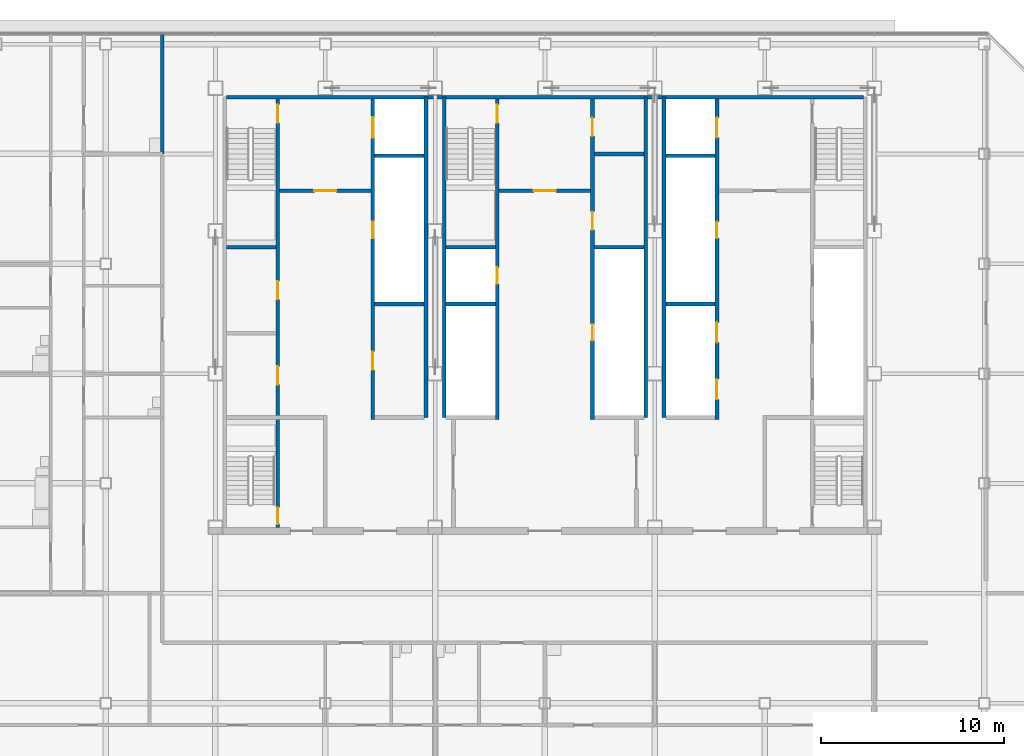
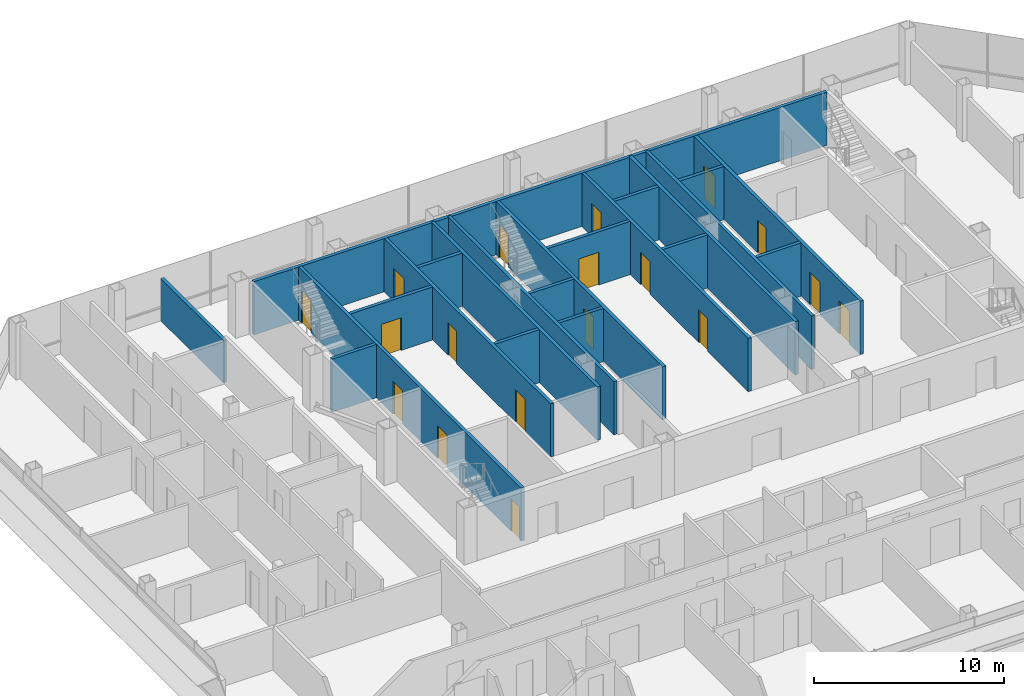
# One storey, part 23 of 27: 22 walls, 18 doors, 18 openings.
"""IFC4 building model written with IfcOpenShell, lengths in metres."""

from ifc_helpers import new_model, si_unit, direction, frame, frame_2d, origin, place, context, subcontext, project, spatial, rectangle, extrude, material, layer, layer_set, type_object, element, fill, save


model = new_model("IFC4")

# Units and contexts
model_context = context("Model", 3, precision=1e-05, world=origin(), true_north=direction((0.0, 1.0)))
body_context = subcontext(model_context, "Body", "Model", "MODEL_VIEW")
ifc_project = project(units=[si_unit("LENGTHUNIT", "METRE"), si_unit("AREAUNIT", "SQUARE_METRE"), si_unit("VOLUMEUNIT", "CUBIC_METRE"), si_unit("PLANEANGLEUNIT", "RADIAN"), si_unit("MASSUNIT", "GRAM", prefix="KILO")], contexts=[model_context])

# Site, building, storey
site_placement = place(None, origin())
site = spatial("IfcSite", under=ifc_project, at=site_placement, CompositionType="ELEMENT")
building_placement = place(site_placement, origin())
building = spatial("IfcBuilding", under=site, at=building_placement, Name="Sorahane Residences", CompositionType="ELEMENT")
storey_placement = place(building_placement, frame((0.0, 0.0, 202.800048828125)))
storey = spatial("IfcBuildingStorey", under=building, at=storey_placement, Name="L47", CompositionType="ELEMENT", Elevation=202.800048828125)

# Walls
ifc_material_1 = material(Name="Concrete C30", Category="concrete")
ifc_layer_1 = layer(ifc_material_1, 0.199951171875)
ifc_layer_set_1 = layer_set([ifc_layer_1], Name="Core face wall 200 EI 180")
wall_type_1 = type_object("IfcWallType", Name="Core face wall 200 EI 180", PredefinedType="SOLIDWALL", material=ifc_layer_set_1)
wall_1_placement = place(storey_placement, frame((6.60009765625, 45.10009765625, 0.0), z_axis=(0.0, 0.0, 1.0), x_axis=(1.0, 0.0, 0.0)))
element("IfcWall", 1, at=wall_1_placement, inside=storey, type_object=wall_type_1, Name="L47 core face wall", PredefinedType="SOLIDWALL", context=body_context, shape_type="SweptSolid", body=[
    extrude(rectangle(XDim=34.7998046875, YDim=0.199951171875, at=frame_2d((17.39990234375, 0.0))), origin(), (0.0, 0.0, 1.0), 3.419921875),
])
for number, where, z_axis, x_axis, name in (
    (2, (17.5, 27.60009765625, 0.0), (0.0, 0.0, 1.0), (0.0, 1.0, 0.0), "L47 core face wall"),
    (3, (18.5, 27.60009765625, 0.0), (0.0, 0.0, 1.0), (0.0, 1.0, 0.0), "L47 core face wall"),
    (4, (29.5, 27.60009765625, 0.0), (0.0, 0.0, 1.0), (0.0, 1.0, 0.0), "L47 core face wall"),
    (5, (30.5, 27.60009765625, 0.0), (0.0, 0.0, 1.0), (0.0, 1.0, 0.0), "L47 core face wall"),
):
    element("IfcWall", number, at=place(storey_placement, frame(where, z_axis=z_axis, x_axis=x_axis)), inside=storey, type_object=wall_type_1, Name=name, PredefinedType="SOLIDWALL", context=body_context, shape_type="SweptSolid", body=[
        extrude(rectangle(XDim=17.5, YDim=0.199951171875, at=frame_2d((8.75, 0.0))), origin(), (0.0, 0.0, 1.0), 3.419921875),
    ])

# Wall, opening, door
ifc_material_2 = material(Name="Concrete C30", Category="concrete")
ifc_layer_2 = layer(ifc_material_2, 0.199951171875)
ifc_layer_set_2 = layer_set([ifc_layer_2], Name="Front room wall 200 EI 120")
wall_type_2 = type_object("IfcWallType", Name="Front room wall 200 EI 120", PredefinedType="PARTITIONING", material=ifc_layer_set_2)
wall_2_placement = place(storey_placement, frame((21.5, 40.0, 0.0), z_axis=(0.0, 0.0, 1.0), x_axis=(1.0, 0.0, 0.0)))
wall_2 = element("IfcWall", 6, at=wall_2_placement, inside=storey, type_object=wall_type_2, Name="L47 front room wall", PredefinedType="PARTITIONING", context=body_context, shape_type="SweptSolid", body=[
    extrude(rectangle(XDim=5.0, YDim=0.199951171875, at=frame_2d((2.5, 0.0))), origin(), (0.0, 0.0, 1.0), 3.419921875),
])
opening_1_placement = place(wall_2_placement, frame((1.89990234375, 0.0, 0.0)))
opening_1 = element("IfcOpeningElement", 7, at=opening_1_placement, cuts=wall_2, Name="Opening L47-C09", PredefinedType="OPENING", context=body_context, shape_type="SweptSolid", body=[
    extrude(rectangle(XDim=1.199951171875, YDim=2.10009765625, at=frame_2d((0.60009765625, 1.050048828125))), frame((0.0, 0.10986328125, 0.0), z_axis=(0.0, -1.0, 0.0), x_axis=(1.0, 0.0, 0.0)), (0.0, 0.0, 1.0), 0.219970703125),
])
ifc_material_3 = material(Name="Steel", Category="steel")
door_type_1 = type_object("IfcDoorType", Name="Front room door 1200x2100 FD120", OperationType="NOTDEFINED", PredefinedType="DOOR", material=ifc_material_3)
door_1_placement = place(opening_1_placement, frame((1.199951171875, 0.0, 0.0), z_axis=(0.0, 0.0, 1.0), x_axis=(-1.0, 0.0, 0.0)))
door_1 = element("IfcDoor", 8, at=door_1_placement, inside=storey, type_object=door_type_1, Name="Front room door Stair S3 vestibule L47", OperationType="DOUBLE_DOOR_SINGLE_SWING", OverallHeight=2.10009765625, OverallWidth=1.199951171875, PredefinedType="DOOR", context=body_context, shape_type="SweptSolid", body=[
    extrude(rectangle(XDim=1.199951171875, YDim=2.10009765625, at=frame_2d((0.60009765625, 1.050048828125))), frame((0.0, 0.02490234375, 0.0), z_axis=(0.0, -1.0, 0.0), x_axis=(1.0, 0.0, 0.0)), (0.0, 0.0, 1.0), 0.050048828125),
])
fill(opening_1, door_1)

wall_3_placement = place(storey_placement, frame((9.5, 40.0, 0.0), z_axis=(0.0, 0.0, 1.0), x_axis=(1.0, 0.0, 0.0)))
wall_3 = element("IfcWall", 9, at=wall_3_placement, inside=storey, type_object=wall_type_2, Name="L47 front room wall", PredefinedType="PARTITIONING", context=body_context, shape_type="SweptSolid", body=[
    extrude(rectangle(XDim=5.0, YDim=0.199951171875, at=frame_2d((2.5, 0.0))), origin(), (0.0, 0.0, 1.0), 3.419921875),
])
opening_2_placement = place(wall_3_placement, frame((1.89990234375, 0.0, 0.0)))
opening_2 = element("IfcOpeningElement", 10, at=opening_2_placement, cuts=wall_3, Name="Opening L47-C08", PredefinedType="OPENING", context=body_context, shape_type="SweptSolid", body=[
    extrude(rectangle(XDim=1.199951171875, YDim=2.10009765625, at=frame_2d((0.60009765625, 1.050048828125))), frame((0.0, 0.10986328125, 0.0), z_axis=(0.0, -1.0, 0.0), x_axis=(1.0, 0.0, 0.0)), (0.0, 0.0, 1.0), 0.219970703125),
])
door_2_placement = place(opening_2_placement, frame((1.199951171875, 0.0, 0.0), z_axis=(0.0, 0.0, 1.0), x_axis=(-1.0, 0.0, 0.0)))
door_2 = element("IfcDoor", 11, at=door_2_placement, inside=storey, type_object=door_type_1, Name="Front room door Firefighting lobby FF1 front room L47", OperationType="DOUBLE_DOOR_SINGLE_SWING", OverallHeight=2.10009765625, OverallWidth=1.199951171875, PredefinedType="DOOR", context=body_context, shape_type="SweptSolid", body=[
    extrude(rectangle(XDim=1.199951171875, YDim=2.10009765625, at=frame_2d((0.60009765625, 1.050048828125))), frame((0.0, 0.02490234375, 0.0), z_axis=(0.0, -1.0, 0.0), x_axis=(1.0, 0.0, 0.0)), (0.0, 0.0, 1.0), 0.050048828125),
])
fill(opening_2, door_2)

# Wall
ifc_material_4 = material(Name="Concrete blockwork C20 wall", Category="masonry")
ifc_layer_3 = layer(ifc_material_4, 0.199951171875)
ifc_layer_set_3 = layer_set([ifc_layer_3], Name="Kitchen wall 200 EI 180")
wall_type_3 = type_object("IfcWallType", Name="Kitchen wall 200 EI 180", PredefinedType="SOLIDWALL", material=ifc_layer_set_3)
wall_4_placement = place(storey_placement, frame((3.10009765625, 42.0, 0.0), z_axis=(0.0, 0.0, 1.0), x_axis=(0.0, 1.0, 0.0)))
element("IfcWall", 12, at=wall_4_placement, inside=storey, type_object=wall_type_3, Name="L47 kitchen wall", PredefinedType="SOLIDWALL", context=body_context, shape_type="SweptSolid", body=[
    extrude(rectangle(XDim=6.60009765625, YDim=0.199951171875, at=frame_2d((3.300048828125, 0.0))), origin(), (0.0, 0.0, 1.0), 2.719970703125),
])

# Wall, openings, doors
ifc_material_5 = material(Name="Concrete C30", Category="concrete")
ifc_layer_4 = layer(ifc_material_5, 0.199951171875)
ifc_layer_set_4 = layer_set([ifc_layer_4], Name="Lift shaft wall 200 EI 120")
wall_type_4 = type_object("IfcWallType", Name="Lift shaft wall 200 EI 120", PredefinedType="SOLIDWALL", material=ifc_layer_set_4)
wall_5_placement = place(storey_placement, frame((14.60009765625, 27.5, 0.0), z_axis=(0.0, 0.0, 1.0), x_axis=(0.0, 1.0, 0.0)))
wall_5 = element("IfcWall", 13, at=wall_5_placement, inside=storey, type_object=wall_type_4, Name="L47 lift shaft wall", PredefinedType="SOLIDWALL", context=body_context, shape_type="SweptSolid", body=[
    extrude(rectangle(XDim=17.5, YDim=0.199951171875, at=frame_2d((8.75, 0.0))), origin(), (0.0, 0.0, 1.0), 3.419921875),
])
opening_3_placement = place(wall_5_placement, frame((15.39990234375, 0.0, 0.0)))
opening_3 = element("IfcOpeningElement", 14, at=opening_3_placement, cuts=wall_5, Name="Opening L47-C17", PredefinedType="OPENING", context=body_context, shape_type="SweptSolid", body=[
    extrude(rectangle(XDim=1.10009765625, YDim=2.10009765625, at=frame_2d((0.550048828125, 1.050048828125))), frame((0.0, 0.10986328125, 0.0), z_axis=(0.0, -1.0, 0.0), x_axis=(1.0, 0.0, 0.0)), (0.0, 0.0, 1.0), 0.219970703125),
])
opening_4_placement = place(wall_5_placement, frame((2.699951171875, 0.0, 0.0)))
opening_4 = element("IfcOpeningElement", 15, at=opening_4_placement, cuts=wall_5, Name="Opening L47-C18", PredefinedType="OPENING", context=body_context, shape_type="SweptSolid", body=[
    extrude(rectangle(XDim=1.0, YDim=2.10009765625, at=frame_2d((0.5, 1.050048828125))), frame((0.0, 0.10986328125, 0.0), z_axis=(0.0, -1.0, 0.0), x_axis=(1.0, 0.0, 0.0)), (0.0, 0.0, 1.0), 0.219970703125),
])
opening_5_placement = place(wall_5_placement, frame((9.89990234375, 0.0, 0.0)))
opening_5 = element("IfcOpeningElement", 16, at=opening_5_placement, cuts=wall_5, Name="Opening L47-C26", PredefinedType="OPENING", context=body_context, shape_type="SweptSolid", body=[
    extrude(rectangle(XDim=0.89990234375, YDim=2.10009765625, at=frame_2d((0.449951171875, 1.050048828125))), frame((0.0, 0.10986328125, 0.0), z_axis=(0.0, -1.0, 0.0), x_axis=(1.0, 0.0, 0.0)), (0.0, 0.0, 1.0), 0.219970703125),
])
ifc_material_6 = material(Name="Aluminium and stainless steel", Category="steel")
door_type_2 = type_object("IfcDoorType", Name="Lift landing door 1100x2100 E 60", OperationType="NOTDEFINED", PredefinedType="DOOR", material=ifc_material_6)
door_3_placement = place(opening_3_placement, origin())
door_3 = element("IfcDoor", 17, at=door_3_placement, inside=storey, type_object=door_type_2, Name="Lift landing door FF1 L47", OperationType="DOUBLE_DOOR_SLIDING", OverallHeight=2.10009765625, OverallWidth=1.10009765625, PredefinedType="DOOR", context=body_context, shape_type="SweptSolid", body=[
    extrude(rectangle(XDim=1.10009765625, YDim=2.10009765625, at=frame_2d((0.550048828125, 1.050048828125))), frame((0.0, 0.02490234375, 0.0), z_axis=(0.0, -1.0, 0.0), x_axis=(1.0, 0.0, 0.0)), (0.0, 0.0, 1.0), 0.050048828125),
])
fill(opening_3, door_3)
ifc_material_7 = material(Name="Steel", Category="steel")
door_type_3 = type_object("IfcDoorType", Name="Riser door 900x2100 FD120", OperationType="NOTDEFINED", PredefinedType="DOOR", material=ifc_material_7)
door_4_placement = place(opening_5_placement, origin())
door_4 = element("IfcDoor", 18, at=door_4_placement, inside=storey, type_object=door_type_3, Name="Riser door R1 L47", OperationType="SINGLE_SWING_LEFT", OverallHeight=2.10009765625, OverallWidth=0.89990234375, PredefinedType="DOOR", context=body_context, shape_type="SweptSolid", body=[
    extrude(rectangle(XDim=0.89990234375, YDim=2.10009765625, at=frame_2d((0.449951171875, 1.050048828125))), frame((0.0, 0.02490234375, 0.0), z_axis=(0.0, -1.0, 0.0), x_axis=(1.0, 0.0, 0.0)), (0.0, 0.0, 1.0), 0.050048828125),
])
fill(opening_5, door_4)
ifc_material_8 = material(Name="Steel", Category="steel")
door_type_4 = type_object("IfcDoorType", Name="Service room door 1000x2100 FD60", OperationType="NOTDEFINED", PredefinedType="DOOR", material=ifc_material_8)
door_5_placement = place(opening_4_placement, frame((1.0, 0.0, 0.0), z_axis=(0.0, 0.0, 1.0), x_axis=(-1.0, 0.0, 0.0)))
door_5 = element("IfcDoor", 19, at=door_5_placement, inside=storey, type_object=door_type_4, Name="Service room door Linen store L47", OperationType="SINGLE_SWING_RIGHT", OverallHeight=2.10009765625, OverallWidth=1.0, PredefinedType="DOOR", context=body_context, shape_type="SweptSolid", body=[
    extrude(rectangle(XDim=1.0, YDim=2.10009765625, at=frame_2d((0.5, 1.050048828125))), frame((0.0, 0.02490234375, 0.0), z_axis=(0.0, -1.0, 0.0), x_axis=(1.0, 0.0, 0.0)), (0.0, 0.0, 1.0), 0.050048828125),
])
fill(opening_4, door_5)

wall_6_placement = place(storey_placement, frame((33.39990234375, 27.5, 0.0), z_axis=(0.0, 0.0, 1.0), x_axis=(0.0, 1.0, 0.0)))
wall_6 = element("IfcWall", 20, at=wall_6_placement, inside=storey, type_object=wall_type_4, Name="L47 lift shaft wall", PredefinedType="SOLIDWALL", context=body_context, shape_type="SweptSolid", body=[
    extrude(rectangle(XDim=17.5, YDim=0.199951171875, at=frame_2d((8.75, 0.0))), origin(), (0.0, 0.0, 1.0), 3.419921875),
])
opening_6_placement = place(wall_6_placement, frame((1.10009765625, 0.0, 0.0)))
opening_6 = element("IfcOpeningElement", 21, at=opening_6_placement, cuts=wall_6, Name="Opening L47-C14", PredefinedType="OPENING", context=body_context, shape_type="SweptSolid", body=[
    extrude(rectangle(XDim=1.10009765625, YDim=2.10009765625, at=frame_2d((0.550048828125, 1.050048828125))), frame((0.0, 0.10986328125, 0.0), z_axis=(0.0, -1.0, 0.0), x_axis=(1.0, 0.0, 0.0)), (0.0, 0.0, 1.0), 0.219970703125),
])
opening_7_placement = place(wall_6_placement, frame((4.199951171875, 0.0, 0.0)))
opening_7 = element("IfcOpeningElement", 22, at=opening_7_placement, cuts=wall_6, Name="Opening L47-C15", PredefinedType="OPENING", context=body_context, shape_type="SweptSolid", body=[
    extrude(rectangle(XDim=1.10009765625, YDim=2.10009765625, at=frame_2d((0.550048828125, 1.050048828125))), frame((0.0, 0.10986328125, 0.0), z_axis=(0.0, -1.0, 0.0), x_axis=(1.0, 0.0, 0.0)), (0.0, 0.0, 1.0), 0.219970703125),
])
opening_8_placement = place(wall_6_placement, frame((15.39990234375, 0.0, 0.0)))
opening_8 = element("IfcOpeningElement", 23, at=opening_8_placement, cuts=wall_6, Name="Opening L47-C16", PredefinedType="OPENING", context=body_context, shape_type="SweptSolid", body=[
    extrude(rectangle(XDim=1.10009765625, YDim=2.10009765625, at=frame_2d((0.550048828125, 1.050048828125))), frame((0.0, 0.10986328125, 0.0), z_axis=(0.0, -1.0, 0.0), x_axis=(1.0, 0.0, 0.0)), (0.0, 0.0, 1.0), 0.219970703125),
])
opening_9_placement = place(wall_6_placement, frame((9.89990234375, 0.0, 0.0)))
opening_9 = element("IfcOpeningElement", 24, at=opening_9_placement, cuts=wall_6, Name="Opening L47-C27", PredefinedType="OPENING", context=body_context, shape_type="SweptSolid", body=[
    extrude(rectangle(XDim=0.89990234375, YDim=2.10009765625, at=frame_2d((0.449951171875, 1.050048828125))), frame((0.0, 0.10986328125, 0.0), z_axis=(0.0, -1.0, 0.0), x_axis=(1.0, 0.0, 0.0)), (0.0, 0.0, 1.0), 0.219970703125),
])
door_6_placement = place(opening_6_placement, origin())
door_6 = element("IfcDoor", 25, at=door_6_placement, inside=storey, type_object=door_type_2, Name="Lift landing door HR4 L47", OperationType="DOUBLE_DOOR_SLIDING", OverallHeight=2.10009765625, OverallWidth=1.10009765625, PredefinedType="DOOR", context=body_context, shape_type="SweptSolid", body=[
    extrude(rectangle(XDim=1.10009765625, YDim=2.10009765625, at=frame_2d((0.550048828125, 1.050048828125))), frame((0.0, 0.02490234375, 0.0), z_axis=(0.0, -1.0, 0.0), x_axis=(1.0, 0.0, 0.0)), (0.0, 0.0, 1.0), 0.050048828125),
])
fill(opening_6, door_6)
door_7_placement = place(opening_7_placement, origin())
door_7 = element("IfcDoor", 26, at=door_7_placement, inside=storey, type_object=door_type_2, Name="Lift landing door HR5 L47", OperationType="DOUBLE_DOOR_SLIDING", OverallHeight=2.10009765625, OverallWidth=1.10009765625, PredefinedType="DOOR", context=body_context, shape_type="SweptSolid", body=[
    extrude(rectangle(XDim=1.10009765625, YDim=2.10009765625, at=frame_2d((0.550048828125, 1.050048828125))), frame((0.0, 0.02490234375, 0.0), z_axis=(0.0, -1.0, 0.0), x_axis=(1.0, 0.0, 0.0)), (0.0, 0.0, 1.0), 0.050048828125),
])
fill(opening_7, door_7)
door_8_placement = place(opening_8_placement, origin())
door_8 = element("IfcDoor", 27, at=door_8_placement, inside=storey, type_object=door_type_2, Name="Lift landing door FF2 L47", OperationType="DOUBLE_DOOR_SLIDING", OverallHeight=2.10009765625, OverallWidth=1.10009765625, PredefinedType="DOOR", context=body_context, shape_type="SweptSolid", body=[
    extrude(rectangle(XDim=1.10009765625, YDim=2.10009765625, at=frame_2d((0.550048828125, 1.050048828125))), frame((0.0, 0.02490234375, 0.0), z_axis=(0.0, -1.0, 0.0), x_axis=(1.0, 0.0, 0.0)), (0.0, 0.0, 1.0), 0.050048828125),
])
fill(opening_8, door_8)
door_9_placement = place(opening_9_placement, frame((0.89990234375, 0.0, 0.0), z_axis=(0.0, 0.0, 1.0), x_axis=(-1.0, 0.0, 0.0)))
door_9 = element("IfcDoor", 28, at=door_9_placement, inside=storey, type_object=door_type_3, Name="Riser door R2 L47", OperationType="SINGLE_SWING_LEFT", OverallHeight=2.10009765625, OverallWidth=0.89990234375, PredefinedType="DOOR", context=body_context, shape_type="SweptSolid", body=[
    extrude(rectangle(XDim=0.89990234375, YDim=2.10009765625, at=frame_2d((0.449951171875, 1.050048828125))), frame((0.0, 0.02490234375, 0.0), z_axis=(0.0, -1.0, 0.0), x_axis=(1.0, 0.0, 0.0)), (0.0, 0.0, 1.0), 0.050048828125),
])
fill(opening_9, door_9)

# Walls
for number, where, z_axis, x_axis, name in (
    (29, (18.60009765625, 33.800048828125, 0.0), (0.0, 0.0, 1.0), (1.0, 0.0, 0.0), "L47 lift shaft wall"),
    (30, (30.60009765625, 33.800048828125, 0.0), (0.0, 0.0, 1.0), (1.0, 0.0, 0.0), "L47 lift shaft wall"),
    (31, (14.699951171875, 41.89990234375, 0.0), (0.0, 0.0, 1.0), (1.0, 0.0, 0.0), "L47 lift shaft wall"),
    (32, (30.60009765625, 41.89990234375, 0.0), (0.0, 0.0, 1.0), (1.0, 0.0, 0.0), "L47 lift shaft wall"),
):
    element("IfcWall", number, at=place(storey_placement, frame(where, z_axis=z_axis, x_axis=x_axis)), inside=storey, type_object=wall_type_4, Name=name, PredefinedType="SOLIDWALL", context=body_context, shape_type="SweptSolid", body=[
        extrude(rectangle(XDim=2.699951171875, YDim=0.199951171875, at=frame_2d((1.35009765625, 0.0))), origin(), (0.0, 0.0, 1.0), 3.419921875),
    ])

# Wall, openings, doors
ifc_material_9 = material(Name="Concrete C30", Category="concrete")
ifc_layer_5 = layer(ifc_material_9, 0.199951171875)
ifc_layer_set_5 = layer_set([ifc_layer_5], Name="Riser shaft wall 200 EI 120")
wall_type_5 = type_object("IfcWallType", Name="Riser shaft wall 200 EI 120", PredefinedType="SOLIDWALL", material=ifc_layer_set_5)
wall_7_placement = place(storey_placement, frame((26.60009765625, 27.5, 0.0), z_axis=(0.0, 0.0, 1.0), x_axis=(0.0, 1.0, 0.0)))
wall_7 = element("IfcWall", 33, at=wall_7_placement, inside=storey, type_object=wall_type_5, Name="L47 riser wall", PredefinedType="SOLIDWALL", context=body_context, shape_type="SweptSolid", body=[
    extrude(rectangle(XDim=17.5, YDim=0.199951171875, at=frame_2d((8.75, 0.0))), origin(), (0.0, 0.0, 1.0), 3.419921875),
])
opening_10_placement = place(wall_7_placement, frame((4.300048828125, 0.0, 0.0)))
opening_10 = element("IfcOpeningElement", 34, at=opening_10_placement, cuts=wall_7, Name="Opening L47-C29", PredefinedType="OPENING", context=body_context, shape_type="SweptSolid", body=[
    extrude(rectangle(XDim=0.89990234375, YDim=2.10009765625, at=frame_2d((0.449951171875, 1.050048828125))), frame((0.0, 0.10986328125, 0.0), z_axis=(0.0, -1.0, 0.0), x_axis=(1.0, 0.0, 0.0)), (0.0, 0.0, 1.0), 0.219970703125),
])
opening_11_placement = place(wall_7_placement, frame((10.35009765625, 0.0, 0.0)))
opening_11 = element("IfcOpeningElement", 35, at=opening_11_placement, cuts=wall_7, Name="Opening L47-C30", PredefinedType="OPENING", context=body_context, shape_type="SweptSolid", body=[
    extrude(rectangle(XDim=1.0, YDim=2.10009765625, at=frame_2d((0.5, 1.050048828125))), frame((0.0, 0.10986328125, 0.0), z_axis=(0.0, -1.0, 0.0), x_axis=(1.0, 0.0, 0.0)), (0.0, 0.0, 1.0), 0.219970703125),
])
opening_12_placement = place(wall_7_placement, frame((15.47509765625, 0.0, 0.0)))
opening_12 = element("IfcOpeningElement", 36, at=opening_12_placement, cuts=wall_7, Name="Opening L47-C31", PredefinedType="OPENING", context=body_context, shape_type="SweptSolid", body=[
    extrude(rectangle(XDim=1.0, YDim=2.10009765625, at=frame_2d((0.5, 1.050048828125))), frame((0.0, 0.10986328125, 0.0), z_axis=(0.0, -1.0, 0.0), x_axis=(1.0, 0.0, 0.0)), (0.0, 0.0, 1.0), 0.219970703125),
])
door_10_placement = place(opening_10_placement, origin())
door_10 = element("IfcDoor", 37, at=door_10_placement, inside=storey, type_object=door_type_3, Name="Riser door R4 L47", OperationType="SINGLE_SWING_LEFT", OverallHeight=2.10009765625, OverallWidth=0.89990234375, PredefinedType="DOOR", context=body_context, shape_type="SweptSolid", body=[
    extrude(rectangle(XDim=0.89990234375, YDim=2.10009765625, at=frame_2d((0.449951171875, 1.050048828125))), frame((0.0, 0.02490234375, 0.0), z_axis=(0.0, -1.0, 0.0), x_axis=(1.0, 0.0, 0.0)), (0.0, 0.0, 1.0), 0.050048828125),
])
fill(opening_10, door_10)
door_11_placement = place(opening_11_placement, frame((1.0, 0.0, 0.0), z_axis=(0.0, 0.0, 1.0), x_axis=(-1.0, 0.0, 0.0)))
door_11 = element("IfcDoor", 38, at=door_11_placement, inside=storey, type_object=door_type_4, Name="Service room door Parcel room L47", OperationType="SINGLE_SWING_LEFT", OverallHeight=2.10009765625, OverallWidth=1.0, PredefinedType="DOOR", context=body_context, shape_type="SweptSolid", body=[
    extrude(rectangle(XDim=1.0, YDim=2.10009765625, at=frame_2d((0.5, 1.050048828125))), frame((0.0, 0.02490234375, 0.0), z_axis=(0.0, -1.0, 0.0), x_axis=(1.0, 0.0, 0.0)), (0.0, 0.0, 1.0), 0.050048828125),
])
fill(opening_11, door_11)
door_12_placement = place(opening_12_placement, frame((1.0, 0.0, 0.0), z_axis=(0.0, 0.0, 1.0), x_axis=(-1.0, 0.0, 0.0)))
door_12 = element("IfcDoor", 39, at=door_12_placement, inside=storey, type_object=door_type_4, Name="Service room door Refuse room L47", OperationType="SINGLE_SWING_RIGHT", OverallHeight=2.10009765625, OverallWidth=1.0, PredefinedType="DOOR", context=body_context, shape_type="SweptSolid", body=[
    extrude(rectangle(XDim=1.0, YDim=2.10009765625, at=frame_2d((0.5, 1.050048828125))), frame((0.0, 0.02490234375, 0.0), z_axis=(0.0, -1.0, 0.0), x_axis=(1.0, 0.0, 0.0)), (0.0, 0.0, 1.0), 0.050048828125),
])
fill(opening_12, door_12)

# Walls
for number, where, z_axis, x_axis, name in (
    (40, (14.699951171875, 33.800048828125, 0.0), (0.0, 0.0, 1.0), (1.0, 0.0, 0.0), "L47 riser wall"),
    (41, (26.699951171875, 36.89990234375, 0.0), (0.0, 0.0, 1.0), (1.0, 0.0, 0.0), "L47 riser wall"),
):
    element("IfcWall", number, at=place(storey_placement, frame(where, z_axis=z_axis, x_axis=x_axis)), inside=storey, type_object=wall_type_5, Name=name, PredefinedType="SOLIDWALL", context=body_context, shape_type="SweptSolid", body=[
        extrude(rectangle(XDim=2.699951171875, YDim=0.199951171875, at=frame_2d((1.35009765625, 0.0))), origin(), (0.0, 0.0, 1.0), 3.419921875),
    ])
ifc_material_10 = material(Name="Concrete C30", Category="concrete")
ifc_layer_6 = layer(ifc_material_10, 0.199951171875)
ifc_layer_set_6 = layer_set([ifc_layer_6], Name="Service room partition 200 EI 60")
wall_type_6 = type_object("IfcWallType", Name="Service room partition 200 EI 60", PredefinedType="PARTITIONING", material=ifc_layer_set_6)
wall_8_placement = place(storey_placement, frame((26.699951171875, 42.0, 0.0), z_axis=(0.0, 0.0, 1.0), x_axis=(1.0, 0.0, 0.0)))
element("IfcWall", 42, at=wall_8_placement, inside=storey, type_object=wall_type_6, Name="L47 service room wall", PredefinedType="PARTITIONING", context=body_context, shape_type="SweptSolid", body=[
    extrude(rectangle(XDim=2.699951171875, YDim=0.199951171875, at=frame_2d((1.35009765625, 0.0))), origin(), (0.0, 0.0, 1.0), 3.419921875),
])

# Wall, openings, doors
ifc_material_11 = material(Name="Concrete C30", Category="concrete")
ifc_layer_7 = layer(ifc_material_11, 0.199951171875)
ifc_layer_set_7 = layer_set([ifc_layer_7], Name="Stair enclosure wall 200 EI 120")
wall_type_7 = type_object("IfcWallType", Name="Stair enclosure wall 200 EI 120", PredefinedType="SOLIDWALL", material=ifc_layer_set_7)
wall_9_placement = place(storey_placement, frame((21.39990234375, 27.5, 0.0), z_axis=(0.0, 0.0, 1.0), x_axis=(0.0, 1.0, 0.0)))
wall_9 = element("IfcWall", 43, at=wall_9_placement, inside=storey, type_object=wall_type_7, Name="L47 stair enclosure wall", PredefinedType="SOLIDWALL", context=body_context, shape_type="SweptSolid", body=[
    extrude(rectangle(XDim=17.5, YDim=0.199951171875, at=frame_2d((8.75, 0.0))), origin(), (0.0, 0.0, 1.0), 3.419921875),
])
opening_13_placement = place(wall_9_placement, frame((16.199951171875, 0.0, 0.0)))
opening_13 = element("IfcOpeningElement", 44, at=opening_13_placement, cuts=wall_9, Name="Opening L47-C23", PredefinedType="OPENING", context=body_context, shape_type="SweptSolid", body=[
    extrude(rectangle(XDim=1.0, YDim=2.10009765625, at=frame_2d((0.5, 1.050048828125))), frame((0.0, 0.10986328125, 0.0), z_axis=(0.0, -1.0, 0.0), x_axis=(1.0, 0.0, 0.0)), (0.0, 0.0, 1.0), 0.219970703125),
])
opening_14_placement = place(wall_9_placement, frame((7.39990234375, 0.0, 0.0)))
opening_14 = element("IfcOpeningElement", 45, at=opening_14_placement, cuts=wall_9, Name="Opening L47-C28", PredefinedType="OPENING", context=body_context, shape_type="SweptSolid", body=[
    extrude(rectangle(XDim=0.89990234375, YDim=2.10009765625, at=frame_2d((0.449951171875, 1.050048828125))), frame((0.0, 0.10986328125, 0.0), z_axis=(0.0, -1.0, 0.0), x_axis=(1.0, 0.0, 0.0)), (0.0, 0.0, 1.0), 0.219970703125),
])
door_13_placement = place(opening_14_placement, frame((0.89990234375, 0.0, 0.0), z_axis=(0.0, 0.0, 1.0), x_axis=(-1.0, 0.0, 0.0)))
door_13 = element("IfcDoor", 46, at=door_13_placement, inside=storey, type_object=door_type_3, Name="Riser door R3 L47", OperationType="SINGLE_SWING_LEFT", OverallHeight=2.10009765625, OverallWidth=0.89990234375, PredefinedType="DOOR", context=body_context, shape_type="SweptSolid", body=[
    extrude(rectangle(XDim=0.89990234375, YDim=2.10009765625, at=frame_2d((0.449951171875, 1.050048828125))), frame((0.0, 0.02490234375, 0.0), z_axis=(0.0, -1.0, 0.0), x_axis=(1.0, 0.0, 0.0)), (0.0, 0.0, 1.0), 0.050048828125),
])
fill(opening_14, door_13)
ifc_material_12 = material(Name="Steel", Category="steel")
door_type_5 = type_object("IfcDoorType", Name="Stair door 1000x2100 FD120", OperationType="NOTDEFINED", PredefinedType="DOOR", material=ifc_material_12)
door_14_placement = place(opening_13_placement, origin())
door_14 = element("IfcDoor", 47, at=door_14_placement, inside=storey, type_object=door_type_5, Name="Stair door S3 L47", OperationType="SINGLE_SWING_LEFT", OverallHeight=2.10009765625, OverallWidth=1.0, PredefinedType="DOOR", context=body_context, shape_type="SweptSolid", body=[
    extrude(rectangle(XDim=1.0, YDim=2.10009765625, at=frame_2d((0.5, 1.050048828125))), frame((0.0, 0.02490234375, 0.0), z_axis=(0.0, -1.0, 0.0), x_axis=(1.0, 0.0, 0.0)), (0.0, 0.0, 1.0), 0.050048828125),
])
fill(opening_13, door_14)

wall_10_placement = place(storey_placement, frame((9.39990234375, 21.60009765625, 0.0), z_axis=(0.0, 0.0, 1.0), x_axis=(0.0, 1.0, 0.0)))
wall_10 = element("IfcWall", 48, at=wall_10_placement, inside=storey, type_object=wall_type_7, Name="L47 stair enclosure wall", PredefinedType="SOLIDWALL", context=body_context, shape_type="SweptSolid", body=[
    extrude(rectangle(XDim=23.39990234375, YDim=0.199951171875, at=frame_2d((11.699951171875, 0.0))), origin(), (0.0, 0.0, 1.0), 3.419921875),
])
opening_15_placement = place(wall_10_placement, frame((7.800048828125, 0.0, 0.0)))
opening_15 = element("IfcOpeningElement", 49, at=opening_15_placement, cuts=wall_10, Name="Opening L47-C19", PredefinedType="OPENING", context=body_context, shape_type="SweptSolid", body=[
    extrude(rectangle(XDim=1.0, YDim=2.10009765625, at=frame_2d((0.5, 1.050048828125))), frame((0.0, 0.10986328125, 0.0), z_axis=(0.0, -1.0, 0.0), x_axis=(1.0, 0.0, 0.0)), (0.0, 0.0, 1.0), 0.219970703125),
])
opening_16_placement = place(wall_10_placement, frame((12.449951171875, 0.0, 0.0)))
opening_16 = element("IfcOpeningElement", 50, at=opening_16_placement, cuts=wall_10, Name="Opening L47-C20", PredefinedType="OPENING", context=body_context, shape_type="SweptSolid", body=[
    extrude(rectangle(XDim=1.0, YDim=2.10009765625, at=frame_2d((0.5, 1.050048828125))), frame((0.0, 0.10986328125, 0.0), z_axis=(0.0, -1.0, 0.0), x_axis=(1.0, 0.0, 0.0)), (0.0, 0.0, 1.0), 0.219970703125),
])
opening_17_placement = place(wall_10_placement, frame((22.10009765625, 0.0, 0.0)))
opening_17 = element("IfcOpeningElement", 51, at=opening_17_placement, cuts=wall_10, Name="Opening L47-C21", PredefinedType="OPENING", context=body_context, shape_type="SweptSolid", body=[
    extrude(rectangle(XDim=1.0, YDim=2.10009765625, at=frame_2d((0.5, 1.050048828125))), frame((0.0, 0.10986328125, 0.0), z_axis=(0.0, -1.0, 0.0), x_axis=(1.0, 0.0, 0.0)), (0.0, 0.0, 1.0), 0.219970703125),
])
opening_18_placement = place(wall_10_placement, frame((0.175048828125, 0.0, 0.0)))
opening_18 = element("IfcOpeningElement", 52, at=opening_18_placement, cuts=wall_10, Name="Opening L47-C24", PredefinedType="OPENING", context=body_context, shape_type="SweptSolid", body=[
    extrude(rectangle(XDim=0.89990234375, YDim=2.10009765625, at=frame_2d((0.449951171875, 1.050048828125))), frame((0.0, 0.10986328125, 0.0), z_axis=(0.0, -1.0, 0.0), x_axis=(1.0, 0.0, 0.0)), (0.0, 0.0, 1.0), 0.219970703125),
])
door_15_placement = place(opening_15_placement, origin())
door_15 = element("IfcDoor", 53, at=door_15_placement, inside=storey, type_object=door_type_4, Name="Service room door Linen store L47", OperationType="SINGLE_SWING_RIGHT", OverallHeight=2.10009765625, OverallWidth=1.0, PredefinedType="DOOR", context=body_context, shape_type="SweptSolid", body=[
    extrude(rectangle(XDim=1.0, YDim=2.10009765625, at=frame_2d((0.5, 1.050048828125))), frame((0.0, 0.02490234375, 0.0), z_axis=(0.0, -1.0, 0.0), x_axis=(1.0, 0.0, 0.0)), (0.0, 0.0, 1.0), 0.050048828125),
])
fill(opening_15, door_15)
door_16_placement = place(opening_16_placement, origin())
door_16 = element("IfcDoor", 54, at=door_16_placement, inside=storey, type_object=door_type_4, Name="Service room door Linen store L47", OperationType="SINGLE_SWING_LEFT", OverallHeight=2.10009765625, OverallWidth=1.0, PredefinedType="DOOR", context=body_context, shape_type="SweptSolid", body=[
    extrude(rectangle(XDim=1.0, YDim=2.10009765625, at=frame_2d((0.5, 1.050048828125))), frame((0.0, 0.02490234375, 0.0), z_axis=(0.0, -1.0, 0.0), x_axis=(1.0, 0.0, 0.0)), (0.0, 0.0, 1.0), 0.050048828125),
])
fill(opening_16, door_16)
door_17_placement = place(opening_17_placement, origin())
door_17 = element("IfcDoor", 55, at=door_17_placement, inside=storey, type_object=door_type_5, Name="Stair door S1 L47", OperationType="SINGLE_SWING_LEFT", OverallHeight=2.10009765625, OverallWidth=1.0, PredefinedType="DOOR", context=body_context, shape_type="SweptSolid", body=[
    extrude(rectangle(XDim=1.0, YDim=2.10009765625, at=frame_2d((0.5, 1.050048828125))), frame((0.0, 0.02490234375, 0.0), z_axis=(0.0, -1.0, 0.0), x_axis=(1.0, 0.0, 0.0)), (0.0, 0.0, 1.0), 0.050048828125),
])
fill(opening_17, door_17)
ifc_material_13 = material(Name="Steel", Category="steel")
door_type_6 = type_object("IfcDoorType", Name="Stair door 900x2100 FD120", OperationType="NOTDEFINED", PredefinedType="DOOR", material=ifc_material_13)
door_18_placement = place(opening_18_placement, origin())
door_18 = element("IfcDoor", 56, at=door_18_placement, inside=storey, type_object=door_type_6, Name="Stair door S4 L47", OperationType="SINGLE_SWING_LEFT", OverallHeight=2.10009765625, OverallWidth=0.89990234375, PredefinedType="DOOR", context=body_context, shape_type="SweptSolid", body=[
    extrude(rectangle(XDim=0.89990234375, YDim=2.10009765625, at=frame_2d((0.449951171875, 1.050048828125))), frame((0.0, 0.02490234375, 0.0), z_axis=(0.0, -1.0, 0.0), x_axis=(1.0, 0.0, 0.0)), (0.0, 0.0, 1.0), 0.050048828125),
])
fill(opening_18, door_18)

# Walls
for number, where, z_axis, x_axis, name in (
    (57, (18.60009765625, 36.89990234375, 0.0), (0.0, 0.0, 1.0), (1.0, 0.0, 0.0), "L47 stair enclosure wall"),
    (58, (6.60009765625, 36.89990234375, 0.0), (0.0, 0.0, 1.0), (1.0, 0.0, 0.0), "L47 stair enclosure wall"),
):
    element("IfcWall", number, at=place(storey_placement, frame(where, z_axis=z_axis, x_axis=x_axis)), inside=storey, type_object=wall_type_7, Name=name, PredefinedType="SOLIDWALL", context=body_context, shape_type="SweptSolid", body=[
        extrude(rectangle(XDim=2.699951171875, YDim=0.199951171875, at=frame_2d((1.35009765625, 0.0))), origin(), (0.0, 0.0, 1.0), 3.419921875),
    ])

save(model, "model.ifc")
